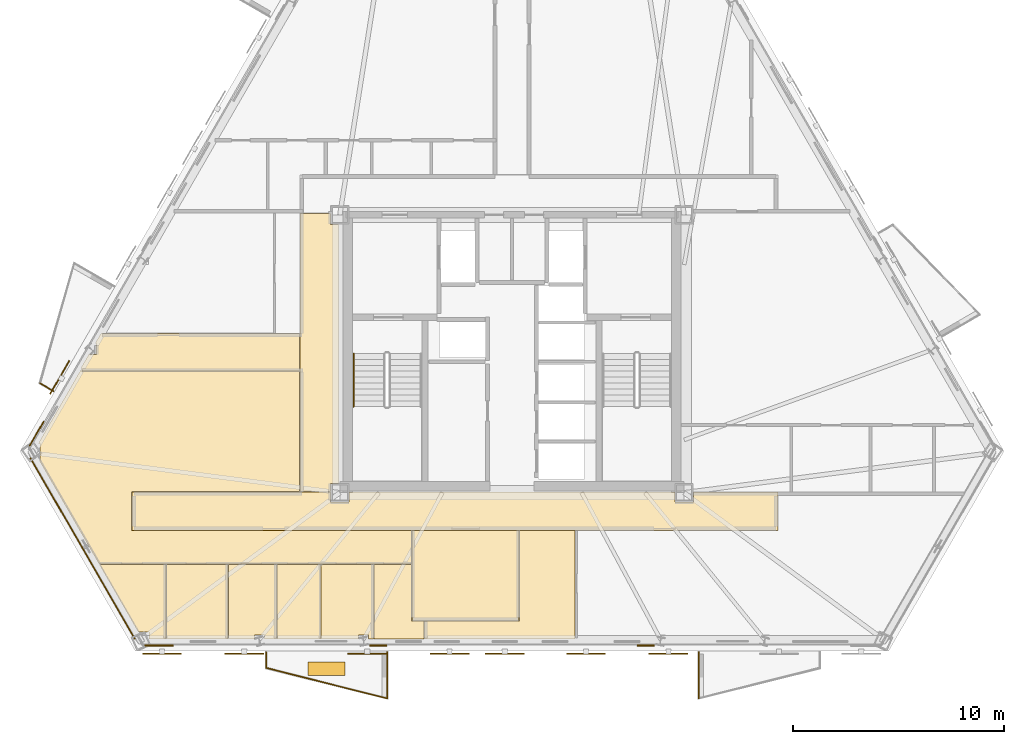
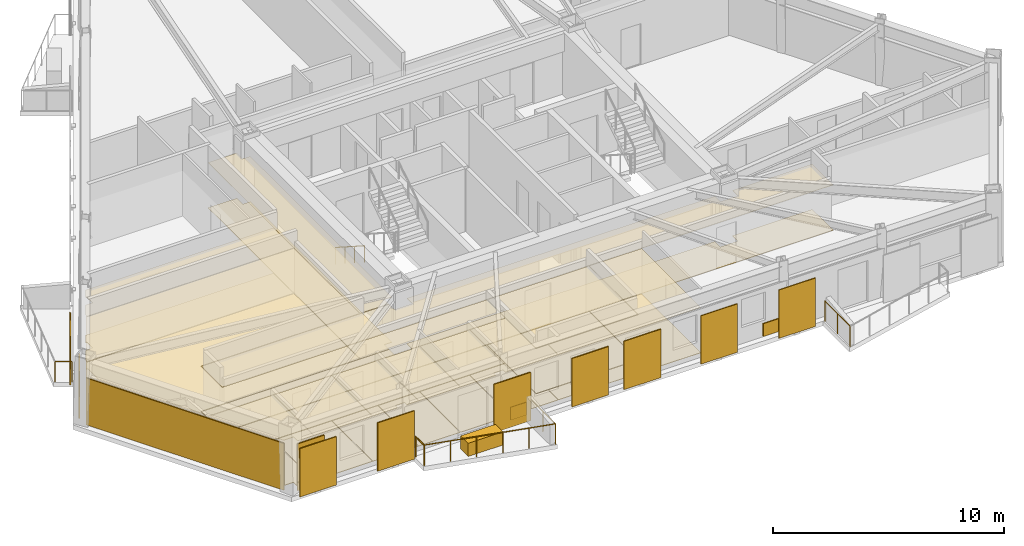
# One storey, part 7 of 9: 30 coverings, 8 shading devices, 6 railings.
"""IFC4 building model written with IfcOpenShell, lengths in metres."""

import ifcopenshell
import ifcopenshell.guid

model = None  # the IFC model being written
_history = None  # IfcOwnerHistory: only IFC2X3 demands one
_inside = {}  # id of a spatial element -> (the spatial element, [elements in it])
_under = {}  # id of a project, library or spatial element -> (it, [spatial elements below it])
_declared = {}  # id of a project -> (the project, [libraries it declares])
_typed = {}  # id of a type object -> (the type object, [elements of that type])
_made_of = {}  # id of a material, layer set ... -> (it, [elements and type objects made of it])


def new_model(schema):
    """Start an empty IFC model of exactly this schema.

    Asked for "IFC4X3", IfcOpenShell would pick the latest addendum, in which some entities
    have other attributes; the version numbers below select the first issue.
    IFC2X3 requires an IfcOwnerHistory on every rooted entity: one is made here for all.
    """
    global model, _history
    if schema == "IFC4X3":
        model = ifcopenshell.file(schema_version=(4, 3, 0, 0))
    else:
        model = ifcopenshell.file(schema=schema)
    _inside.clear()
    _under.clear()
    _declared.clear()
    _typed.clear()
    _made_of.clear()
    _history = None
    if model.schema == "IFC2X3":
        org = make("IfcOrganization", Name="unknown")
        user = make(
            "IfcPersonAndOrganization",
            ThePerson=make("IfcPerson", FamilyName="unknown"),
            TheOrganization=org,
        )
        app = make(
            "IfcApplication",
            ApplicationDeveloper=org,
            Version="unknown",
            ApplicationFullName="unknown",
            ApplicationIdentifier="unknown",
        )
        _history = make(
            "IfcOwnerHistory",
            OwningUser=user,
            OwningApplication=app,
            ChangeAction="ADDED",
            CreationDate=0,
        )
    return model


def make(cls, **values):
    """One entity of the class cls with the attributes given. An attribute that is None is left unset."""
    return model.create_entity(
        cls, **{name: value for name, value in values.items() if value is not None}
    )


def rooted(cls, **values):
    """An entity with a GlobalId (a new one), such as an element, a storey or a relation."""
    return make(cls, GlobalId=ifcopenshell.guid.new(), OwnerHistory=_history, **values)


def si_unit(unit_type, name, prefix=None):
    """IfcSIUnit, for example si_unit("LENGTHUNIT", "METRE", prefix="MILLI")."""
    return make("IfcSIUnit", UnitType=unit_type, Prefix=prefix, Name=name)


def assignment(units):
    """IfcUnitAssignment: the units of a project."""
    return None if units is None else make("IfcUnitAssignment", Units=units)


def point(xyz):
    """IfcCartesianPoint."""
    return None if xyz is None else make("IfcCartesianPoint", Coordinates=xyz)


def direction(xyz):
    """IfcDirection."""
    return None if xyz is None else make("IfcDirection", DirectionRatios=xyz)


def frame(location, z_axis=None, x_axis=None):
    """IfcAxis2Placement3D, a coordinate frame: its origin and axes. An axis left out is left unset."""
    return make(
        "IfcAxis2Placement3D",
        Location=point(location),
        Axis=direction(z_axis),
        RefDirection=direction(x_axis),
    )


def frame_2d(location, x_axis=None):
    """IfcAxis2Placement2D, a coordinate frame in the plane: its origin and x axis."""
    return make(
        "IfcAxis2Placement2D", Location=point(location), RefDirection=direction(x_axis)
    )


def origin():
    """The frame at (0, 0, 0) with its axes left unset."""
    return frame((0.0, 0.0, 0.0))


def origin_2d():
    """The frame at (0, 0) in the plane with its x axis left unset."""
    return frame_2d((0.0, 0.0))


def place(relative_to, where):
    """IfcLocalPlacement: puts the frame where relative to a parent placement (None: the world)."""
    return make(
        "IfcLocalPlacement", PlacementRelTo=relative_to, RelativePlacement=where
    )


def context(
    kind, dimensions, precision=None, world=None, true_north=None, identifier=None
):
    """IfcGeometricRepresentationContext, for example the 3D "Model" context."""
    return make(
        "IfcGeometricRepresentationContext",
        ContextIdentifier=identifier,
        ContextType=kind,
        CoordinateSpaceDimension=dimensions,
        Precision=precision,
        WorldCoordinateSystem=world,
        TrueNorth=true_north,
    )


def subcontext(parent, identifier, kind, view, scale=None):
    """IfcGeometricRepresentationSubContext, for example "Body" below "Model"."""
    return make(
        "IfcGeometricRepresentationSubContext",
        ContextIdentifier=identifier,
        ContextType=kind,
        ParentContext=parent,
        TargetScale=scale,
        TargetView=view,
    )


def project(units=None, contexts=None):
    """IfcProject with its units and contexts."""
    return rooted(
        "IfcProject",
        Name="project",
        RepresentationContexts=contexts,
        UnitsInContext=assignment(units),
    )


def spatial(cls, under=None, at=None, **own):
    """A site, building, storey or space (cls), placed at a placement, below another one or the project."""
    s = rooted(cls, ObjectPlacement=at, **own)
    if under is not None:
        _under.setdefault(under.id(), (under, []))[1].append(s)
    return s


def polyline(points):
    """IfcPolyline through the points."""
    return make("IfcPolyline", Points=[point(p) for p in points])


def profile(cls, at=None, kind="AREA", **sizes):
    """A parametric profile (cls). Its sizes go by their IFC names, for example OverallWidth=200.0."""
    return make(cls, ProfileType=kind, Position=at, **sizes)


def rectangle(**sizes):
    """IfcRectangleProfileDef."""
    return profile("IfcRectangleProfileDef", **sizes)


def circle(**sizes):
    """IfcCircleProfileDef."""
    return profile("IfcCircleProfileDef", **sizes)


def outline(outer, holes=None, kind="AREA"):
    """IfcArbitraryClosedProfileDef: a profile drawn as a closed curve; with holes, ...WithVoids."""
    if holes is None:
        return make("IfcArbitraryClosedProfileDef", ProfileType=kind, OuterCurve=outer)
    return make(
        "IfcArbitraryProfileDefWithVoids",
        ProfileType=kind,
        OuterCurve=outer,
        InnerCurves=holes,
    )


def extrude(swept, where, along, depth):
    """IfcExtrudedAreaSolid: the profile swept, set in the frame where, extruded along a direction by depth."""
    return make(
        "IfcExtrudedAreaSolid",
        SweptArea=swept,
        Position=where,
        ExtrudedDirection=direction(along),
        Depth=depth,
    )


def shape(context_of_items, identifier, shape_type, items):
    """IfcShapeRepresentation: the items that make up one representation, for example the "Body"."""
    return make(
        "IfcShapeRepresentation",
        ContextOfItems=context_of_items,
        RepresentationIdentifier=identifier,
        RepresentationType=shape_type,
        Items=items,
    )


def material(Name=None, Category=None):
    """IfcMaterial."""
    return make("IfcMaterial", Name=Name, Category=Category)


def layer(
    of_material, thickness, ventilated=None, Name=None, Category=None, Priority=None
):
    """IfcMaterialLayer: one layer of a wall or slab, of a material (None: an air gap)."""
    return make(
        "IfcMaterialLayer",
        Material=of_material,
        LayerThickness=thickness,
        IsVentilated=ventilated,
        Name=Name,
        Category=Category,
        Priority=Priority,
    )


def layer_set(layers, Name=None):
    """IfcMaterialLayerSet."""
    return make("IfcMaterialLayerSet", MaterialLayers=layers, LayerSetName=Name)


def made_of(thing, what):
    """Note that an element or type object is made of a material, layer set ...; save() writes the relation."""
    if what is not None:
        _made_of.setdefault(what.id(), (what, []))[1].append(thing)
    return thing


def type_object(cls, material=None, **own):
    """A type object (cls), such as IfcWallType, which elements share."""
    return made_of(rooted(cls, **own), material)


def element(
    cls,
    number,
    at=None,
    inside=None,
    cuts=None,
    type_object=None,
    material=None,
    context=None,
    identifier="Body",
    shape_type=None,
    held_by="IfcProductDefinitionShape",
    body=None,
    shapes=None,
    **own,
):
    """One element of the class cls, such as IfcWall. Its Tag is "e" and its number.

    at: its placement. inside: the storey or other place that contains it. cuts: it is an
    opening in that element (IfcRelVoidsElement). A single representation is given by context,
    identifier, shape_type and body (its items); several are given by shapes. held_by: the class
    of the entity that holds the representations. save() writes the other relations.
    """
    e = rooted(cls, Tag="e%d" % number, ObjectPlacement=at, **own)
    if body is not None:
        shapes = [shape(context, identifier, shape_type, body)]
    if shapes is not None:
        e.Representation = make(held_by, Representations=shapes)
    if inside is not None:
        _inside.setdefault(inside.id(), (inside, []))[1].append(e)
    if cuts is not None:
        rooted(
            "IfcRelVoidsElement", RelatingBuildingElement=cuts, RelatedOpeningElement=e
        )
    if type_object is not None:
        _typed.setdefault(type_object.id(), (type_object, []))[1].append(e)
    return made_of(e, material)


def aggregate(whole, parts):
    """IfcRelAggregates: a whole, such as a stair, and the parts it consists of."""
    return rooted("IfcRelAggregates", RelatingObject=whole, RelatedObjects=parts)


def save(model, path):
    """Write the relations noted so far, then the file.

    IfcRelAggregates (storeys below a building ...), IfcRelContainedInSpatialStructure (elements
    in a storey), IfcRelDefinesByType, IfcRelAssociatesMaterial and IfcRelDeclares: one each for
    every whole, place, type object, material and project.
    """
    for whole, parts in _under.values():
        aggregate(whole, parts)
    for where, things in _inside.values():
        rooted(
            "IfcRelContainedInSpatialStructure",
            RelatedElements=things,
            RelatingStructure=where,
        )
    for kind, things in _typed.values():
        rooted("IfcRelDefinesByType", RelatedObjects=things, RelatingType=kind)
    for what, things in _made_of.values():
        rooted("IfcRelAssociatesMaterial", RelatedObjects=things, RelatingMaterial=what)
    for by, libraries in _declared.values():
        rooted("IfcRelDeclares", RelatingContext=by, RelatedDefinitions=libraries)
    model.write(path)


model = new_model("IFC4")

# Units and contexts
model_context = context("Model", 3, precision=1e-05, world=origin(), true_north=direction((0.0, 1.0)))
body_context = subcontext(model_context, "Body", "Model", "MODEL_VIEW")
ifc_project = project(units=[si_unit("LENGTHUNIT", "METRE"), si_unit("AREAUNIT", "SQUARE_METRE"), si_unit("VOLUMEUNIT", "CUBIC_METRE"), si_unit("PLANEANGLEUNIT", "RADIAN"), si_unit("MASSUNIT", "GRAM", prefix="KILO")], contexts=[model_context])

# Site, building, storey
site_placement = place(None, origin())
site = spatial("IfcSite", under=ifc_project, at=site_placement, CompositionType="ELEMENT")
building_placement = place(site_placement, origin())
building = spatial("IfcBuilding", under=site, at=building_placement, Name="Oramaril Tower", CompositionType="ELEMENT")
storey_placement = place(building_placement, frame((0.0, 0.0, 130.199951171875)))
storey = spatial("IfcBuildingStorey", under=building, at=storey_placement, Name="L34", CompositionType="ELEMENT", Elevation=130.199951171875)

# Coverings
ifc_material_1 = material(Name="Mineral Fibre Acoustic Ceiling")
ifc_layer_1 = layer(ifc_material_1, 0.02001953125)
ifc_layer_set_1 = layer_set([ifc_layer_1], Name="CVT-CEIL")
covering_type_1 = type_object("IfcCoveringType", Name="CVT-CEIL", PredefinedType="CEILING", material=ifc_layer_set_1)
covering_1_placement = place(storey_placement, frame((0.0, 0.0, 2.400146484375)))
element("IfcCovering", 1, at=covering_1_placement, inside=storey, type_object=covering_type_1, Name="L34 Acoustic Suspended Ceiling 1", PredefinedType="CEILING", context=body_context, shape_type="SweptSolid", body=[
    extrude(outline(polyline([(28.905029296875, 10.554931640625), (29.794921875, 10.554931640625), (29.794921875, 11.030029296875), (45.205078125, 11.030029296875), (45.205078125, 10.554931640625), (46.094970703125, 10.554931640625), (46.094970703125, 11.030029296875), (50.080078125, 11.030029296875), (50.080078125, 9.219970703125), (19.52001953125, 9.219970703125), (19.52001953125, 11.030029296875), (28.905029296875, 11.030029296875), (28.905029296875, 10.554931640625)])), origin(), (0.0, 0.0, 1.0), 0.02001953125),
])
covering_2_placement = place(storey_placement, frame((0.0, 0.0, 2.400146484375)))
element("IfcCovering", 2, at=covering_2_placement, inside=storey, type_object=covering_type_1, Name="L34 Acoustic Suspended Ceiling 3", PredefinedType="CEILING", context=body_context, shape_type="SweptSolid", body=[
    extrude(outline(polyline([(28.905029296875, 23.705078125), (29.280029296875, 23.705078125), (29.280029296875, 11.445068359375), (28.905029296875, 11.445068359375), (28.905029296875, 11.050048828125), (27.469970703125, 11.050048828125), (27.469970703125, 24.219970703125), (28.905029296875, 24.219970703125), (28.905029296875, 23.705078125)])), origin(), (0.0, 0.0, 1.0), 0.02001953125),
])
covering_3_placement = place(storey_placement, frame((0.0, 0.0, 2.400146484375)))
element("IfcCovering", 3, at=covering_3_placement, inside=storey, type_object=covering_type_1, Name="L34 Acoustic Suspended Ceiling 5", PredefinedType="CEILING", context=body_context, shape_type="SweptSolid", body=[
    extrude(outline(polyline([(17.1201171875, 16.77001953125), (17.1201171875, 16.94091796875), (17.46826171875, 17.5439453125), (17.83251953125, 17.5439453125), (17.83251953125, 18.051513671875), (17.76123046875, 18.051513671875), (18.037353515625, 18.530029296875), (27.449951171875, 18.530029296875), (27.449951171875, 16.77001953125), (17.1201171875, 16.77001953125)])), origin(), (0.0, 0.0, 1.0), 0.02001953125),
])
covering_4_placement = place(storey_placement, frame((0.0, 0.0, 2.400146484375)))
element("IfcCovering", 4, at=covering_4_placement, inside=storey, type_object=covering_type_1, Name="L34 Acoustic Suspended Ceiling 6", PredefinedType="CEILING", context=body_context, shape_type="SweptSolid", body=[
    extrude(outline(polyline([(32.758056640625, 4.9580078125), (32.758056640625, 9.199951171875), (37.842041015625, 9.199951171875), (37.842041015625, 4.9580078125), (32.758056640625, 4.9580078125)])), origin(), (0.0, 0.0, 1.0), 0.02001953125),
])
covering_5_placement = place(storey_placement, frame((0.0, 0.0, 2.400146484375)))
element("IfcCovering", 5, at=covering_5_placement, inside=storey, type_object=covering_type_1, Name="L34 Acoustic Suspended Ceiling 8", PredefinedType="CEILING", context=body_context, shape_type="SweptSolid", body=[
    extrude(outline(polyline([(33.35791015625, 4.06787109375), (33.35791015625, 4.93798828125), (37.842041015625, 4.93798828125), (37.843994140625, 4.93798828125), (37.845947265625, 4.9384765625), (37.847900390625, 4.93896484375), (37.849609375, 4.939453125), (37.851318359375, 4.9404296875), (37.85302734375, 4.94140625), (37.854736328125, 4.9423828125), (37.856201171875, 4.94384765625), (37.857421875, 4.9453125), (37.858642578125, 4.947021484375), (37.859619140625, 4.948486328125), (37.860595703125, 4.9501953125), (37.861083984375, 4.9521484375), (37.861572265625, 4.9541015625), (37.86181640625, 4.9560546875), (37.862060546875, 4.9580078125), (37.862060546875, 9.199951171875), (40.484619140625, 9.199951171875), (40.484619140625, 4.06787109375), (33.35791015625, 4.06787109375)])), origin(), (0.0, 0.0, 1.0), 0.02001953125),
])
covering_6_placement = place(storey_placement, frame((0.0, 0.0, 2.400146484375)))
element("IfcCovering", 6, at=covering_6_placement, inside=storey, type_object=covering_type_1, Name="L34 Acoustic Suspended Ceiling 9", PredefinedType="CEILING", context=body_context, shape_type="SweptSolid", body=[
    extrude(outline(polyline([(17.9501953125, 7.62109375), (15.12158203125, 12.5205078125), (15.163818359375, 12.5205078125), (15.163818359375, 13.331787109375), (15.080078125, 13.331787109375), (17.10009765625, 16.830078125), (17.10009765625, 16.77001953125), (17.10009765625, 16.76806640625), (17.100341796875, 16.76611328125), (17.100830078125, 16.76416015625), (17.1015625, 16.76220703125), (17.102294921875, 16.760498046875), (17.103515625, 16.7587890625), (17.1044921875, 16.75732421875), (17.10595703125, 16.755859375), (17.107421875, 16.75439453125), (17.10888671875, 16.75341796875), (17.110595703125, 16.75244140625), (17.1123046875, 16.75146484375), (17.1142578125, 16.7509765625), (17.1162109375, 16.75048828125), (17.117919921875, 16.75), (17.1201171875, 16.75), (27.449951171875, 16.75), (27.449951171875, 11.050048828125), (19.52001953125, 11.050048828125), (19.51806640625, 11.0498046875), (19.51611328125, 11.049560546875), (19.51416015625, 11.049072265625), (19.51220703125, 11.048583984375), (19.510498046875, 11.047607421875), (19.5087890625, 11.046630859375), (19.50732421875, 11.04541015625), (19.505859375, 11.044189453125), (19.50439453125, 11.042724609375), (19.50341796875, 11.041015625), (19.50244140625, 11.039306640625), (19.50146484375, 11.03759765625), (19.5009765625, 11.035888671875), (19.50048828125, 11.033935546875), (19.5, 11.031982421875), (19.5, 11.030029296875), (19.5, 9.219970703125), (19.5, 9.218017578125), (19.50048828125, 9.216064453125), (19.5009765625, 9.214111328125), (19.50146484375, 9.21240234375), (19.50244140625, 9.210693359375), (19.50341796875, 9.208984375), (19.50439453125, 9.207275390625), (19.505859375, 9.205810546875), (19.50732421875, 9.20458984375), (19.5087890625, 9.203369140625), (19.510498046875, 9.202392578125), (19.51220703125, 9.201416015625), (19.51416015625, 9.200927734375), (19.51611328125, 9.200439453125), (19.51806640625, 9.2001953125), (19.52001953125, 9.199951171875), (32.738037109375, 9.199951171875), (32.738037109375, 7.62109375), (17.9501953125, 7.62109375)])), origin(), (0.0, 0.0, 1.0), 0.02001953125),
])
covering_7_placement = place(storey_placement, frame((0.0, 0.0, 2.400146484375)))
element("IfcCovering", 7, at=covering_7_placement, inside=storey, type_object=covering_type_1, Name="L34 Acoustic Suspended Ceiling 10", PredefinedType="CEILING", context=body_context, shape_type="SweptSolid", body=[
    extrude(outline(polyline([(20.30908203125, 4.06787109375), (20.30908203125, 4.41064453125), (19.8037109375, 4.41064453125), (17.961669921875, 7.60107421875), (21.124755859375, 7.60107421875), (21.124755859375, 4.06787109375), (20.30908203125, 4.06787109375)])), origin(), (0.0, 0.0, 1.0), 0.02001953125),
])
covering_8_placement = place(storey_placement, frame((0.0, 0.0, 2.400146484375)))
element("IfcCovering", 8, at=covering_8_placement, inside=storey, type_object=covering_type_1, Name="L34 Acoustic Suspended Ceiling 11", PredefinedType="CEILING", context=body_context, shape_type="SweptSolid", body=[
    extrude(outline(polyline([(21.144775390625, 4.06787109375), (21.144775390625, 7.60107421875), (24.0537109375, 7.60107421875), (24.0537109375, 4.06787109375), (21.144775390625, 4.06787109375)])), origin(), (0.0, 0.0, 1.0), 0.02001953125),
])
covering_9_placement = place(storey_placement, frame((0.0, 0.0, 2.400146484375)))
element("IfcCovering", 9, at=covering_9_placement, inside=storey, type_object=covering_type_1, Name="L34 Acoustic Suspended Ceiling 12", PredefinedType="CEILING", context=body_context, shape_type="SweptSolid", body=[
    extrude(outline(polyline([(25.78173828125, 4.06787109375), (25.78173828125, 4.263671875), (25.311279296875, 4.263671875), (25.311279296875, 4.06787109375), (24.07373046875, 4.06787109375), (24.07373046875, 7.60107421875), (26.355224609375, 7.60107421875), (26.355224609375, 4.06787109375), (25.78173828125, 4.06787109375)])), origin(), (0.0, 0.0, 1.0), 0.02001953125),
])
covering_10_placement = place(storey_placement, frame((0.0, 0.0, 2.400146484375)))
element("IfcCovering", 10, at=covering_10_placement, inside=storey, type_object=covering_type_1, Name="L34 Acoustic Suspended Ceiling 13", PredefinedType="CEILING", context=body_context, shape_type="SweptSolid", body=[
    extrude(outline(polyline([(26.375244140625, 4.06787109375), (26.375244140625, 7.60107421875), (28.447509765625, 7.60107421875), (28.447509765625, 4.06787109375), (26.375244140625, 4.06787109375)])), origin(), (0.0, 0.0, 1.0), 0.02001953125),
])
covering_11_placement = place(storey_placement, frame((0.0, 0.0, 2.400146484375)))
element("IfcCovering", 11, at=covering_11_placement, inside=storey, type_object=covering_type_1, Name="L34 Acoustic Suspended Ceiling 14", PredefinedType="CEILING", context=body_context, shape_type="SweptSolid", body=[
    extrude(outline(polyline([(30.69873046875, 4.06787109375), (30.69873046875, 4.263671875), (30.23828125, 4.263671875), (30.23828125, 4.06787109375), (28.46728515625, 4.06787109375), (28.46728515625, 7.60107421875), (30.951904296875, 7.60107421875), (30.951904296875, 4.06787109375), (30.69873046875, 4.06787109375)])), origin(), (0.0, 0.0, 1.0), 0.02001953125),
])
covering_12_placement = place(storey_placement, frame((0.0, 0.0, 2.400146484375)))
element("IfcCovering", 12, at=covering_12_placement, inside=storey, type_object=covering_type_1, Name="L34 Acoustic Suspended Ceiling 15", PredefinedType="CEILING", context=body_context, shape_type="SweptSolid", body=[
    extrude(outline(polyline([(30.971923828125, 4.06787109375), (30.971923828125, 7.60107421875), (32.738037109375, 7.60107421875), (32.738037109375, 4.9580078125), (32.738037109375, 4.9560546875), (32.73828125, 4.9541015625), (32.739013671875, 4.9521484375), (32.739501953125, 4.9501953125), (32.740478515625, 4.948486328125), (32.741455078125, 4.947021484375), (32.742431640625, 4.9453125), (32.743896484375, 4.94384765625), (32.745361328125, 4.9423828125), (32.746826171875, 4.94140625), (32.74853515625, 4.9404296875), (32.750244140625, 4.939453125), (32.752197265625, 4.93896484375), (32.754150390625, 4.9384765625), (32.756103515625, 4.93798828125), (32.758056640625, 4.93798828125), (33.337890625, 4.93798828125), (33.337890625, 4.06787109375), (30.971923828125, 4.06787109375)])), origin(), (0.0, 0.0, 1.0), 0.02001953125),
])
ifc_material_2 = material(Name="Warm Cream Limestone", Category="masonry")
ifc_layer_2 = layer(ifc_material_2, 0.050048828125)
ifc_layer_set_2 = layer_set([ifc_layer_2], Name="CVT-CLD")
covering_type_2 = type_object("IfcCoveringType", Name="CVT-CLD", PredefinedType="CLADDING", material=ifc_layer_set_2)
covering_13_placement = place(storey_placement, frame((17.17333984375, 8.364501953125, 0.0400390625), z_axis=(0.0, 0.0, 1.0), x_axis=(0.5, -0.866025403784, 0.0)))
element("IfcCovering", 13, at=covering_13_placement, inside=storey, type_object=covering_type_2, Name="L34 Warm Cream Limestone Cladding", PredefinedType="CLADDING", context=body_context, shape_type="SweptSolid", body=[
    extrude(rectangle(XDim=9.89453125, YDim=0.050048828125, at=origin_2d()), origin(), (0.0, 0.0, 1.0), 2.47802734375),
])
covering_14_placement = place(storey_placement, frame((20.789306640625, 3.766845703125, 0.0400390625), z_axis=(0.0, 0.0, 1.0), x_axis=(1.0, 0.0, 0.0)))
element("IfcCovering", 14, at=covering_14_placement, inside=storey, type_object=covering_type_2, Name="L34 Warm Cream Limestone Cladding", PredefinedType="CLADDING", context=body_context, shape_type="SweptSolid", body=[
    extrude(rectangle(XDim=1.35009765625, YDim=0.050048828125, at=origin_2d()), origin(), (0.0, 0.0, 1.0), 2.47802734375),
])
for number, where, z_axis, x_axis, name in (
    (15, (31.177978515625, 3.766845703125, 0.0400390625), (0.0, 0.0, 1.0), (1.0, 0.0, 0.0), "L34 Warm Cream Limestone Spandrel Cladding"),
    (16, (43.822021484375, 3.766845703125, 0.0400390625), (0.0, 0.0, 1.0), (1.0, 0.0, 0.0), "L34 Warm Cream Limestone Spandrel Cladding"),
):
    element("IfcCovering", number, at=place(storey_placement, frame(where, z_axis=z_axis, x_axis=x_axis)), inside=storey, type_object=covering_type_2, Name=name, PredefinedType="CLADDING", context=body_context, shape_type="SweptSolid", body=[
        extrude(rectangle(XDim=0.800048828125, YDim=0.050048828125, at=origin_2d()), origin(), (0.0, 0.0, 1.0), 0.679931640625),
    ])
covering_15_placement = place(storey_placement, frame((14.999755859375, 13.79443359375, 0.0400390625), z_axis=(0.0, 0.0, 1.0), x_axis=(-0.4999984885, -0.866026276448, 0.0)))
element("IfcCovering", 17, at=covering_15_placement, inside=storey, type_object=covering_type_2, Name="L34 Warm Cream Limestone Cladding", PredefinedType="CLADDING", context=body_context, shape_type="SweptSolid", body=[
    extrude(rectangle(XDim=1.35009765625, YDim=0.050048828125, at=origin_2d()), origin(), (0.0, 0.0, 1.0), 2.47802734375),
])
covering_16_placement = place(storey_placement, frame((28.7236328125, 2.663330078125, 0.0), z_axis=(0.0, 0.0, 1.0), x_axis=(1.0, 0.0, 0.0)))
element("IfcCovering", 18, at=covering_16_placement, inside=storey, type_object=covering_type_2, Name="L34 Structural Tree Planter Box L34-BAL-S1", PredefinedType="CLADDING", context=body_context, shape_type="SweptSolid", body=[
    extrude(rectangle(XDim=1.75, YDim=0.64990234375, at=origin_2d()), origin(), (0.0, 0.0, 1.0), 0.699951171875),
])
ifc_material_3 = material(Name="Honed Quartzite Stone Flooring", Category="masonry")
ifc_layer_3 = layer(ifc_material_3, 0.02490234375)
ifc_layer_set_3 = layer_set([ifc_layer_3], Name="CVT-FLR")
covering_type_3 = type_object("IfcCoveringType", Name="CVT-FLR", PredefinedType="FLOORING", material=ifc_layer_set_3)
covering_17_placement = place(storey_placement, origin())
element("IfcCovering", 19, at=covering_17_placement, inside=storey, type_object=covering_type_3, Name="L34 Honed Stone Floor Finish 1", PredefinedType="FLOORING", context=body_context, shape_type="SweptSolid", body=[
    extrude(outline(polyline([(28.905029296875, 10.554931640625), (29.794921875, 10.554931640625), (29.794921875, 11.030029296875), (45.205078125, 11.030029296875), (45.205078125, 10.554931640625), (46.094970703125, 10.554931640625), (46.094970703125, 11.030029296875), (50.080078125, 11.030029296875), (50.080078125, 9.219970703125), (19.52001953125, 9.219970703125), (19.52001953125, 11.030029296875), (28.905029296875, 11.030029296875), (28.905029296875, 10.554931640625)])), origin(), (0.0, 0.0, 1.0), 0.025146484375),
])
covering_18_placement = place(storey_placement, origin())
element("IfcCovering", 20, at=covering_18_placement, inside=storey, type_object=covering_type_3, Name="L34 Honed Stone Floor Finish 3", PredefinedType="FLOORING", context=body_context, shape_type="SweptSolid", body=[
    extrude(outline(polyline([(28.905029296875, 23.705078125), (29.280029296875, 23.705078125), (29.280029296875, 11.445068359375), (28.905029296875, 11.445068359375), (28.905029296875, 11.050048828125), (27.469970703125, 11.050048828125), (27.469970703125, 24.219970703125), (28.905029296875, 24.219970703125), (28.905029296875, 23.705078125)])), origin(), (0.0, 0.0, 1.0), 0.025146484375),
])
covering_19_placement = place(storey_placement, origin())
element("IfcCovering", 21, at=covering_19_placement, inside=storey, type_object=covering_type_3, Name="L34 Honed Stone Floor Finish 5", PredefinedType="FLOORING", context=body_context, shape_type="SweptSolid", body=[
    extrude(outline(polyline([(17.1201171875, 16.77001953125), (17.1201171875, 16.94091796875), (17.46826171875, 17.5439453125), (17.83251953125, 17.5439453125), (17.83251953125, 18.051513671875), (17.76123046875, 18.051513671875), (18.037353515625, 18.530029296875), (27.449951171875, 18.530029296875), (27.449951171875, 16.77001953125), (17.1201171875, 16.77001953125)])), origin(), (0.0, 0.0, 1.0), 0.025146484375),
])
covering_20_placement = place(storey_placement, origin())
element("IfcCovering", 22, at=covering_20_placement, inside=storey, type_object=covering_type_3, Name="L34 Honed Stone Floor Finish 6", PredefinedType="FLOORING", context=body_context, shape_type="SweptSolid", body=[
    extrude(outline(polyline([(32.758056640625, 4.9580078125), (32.758056640625, 9.199951171875), (37.842041015625, 9.199951171875), (37.842041015625, 4.9580078125), (32.758056640625, 4.9580078125)])), origin(), (0.0, 0.0, 1.0), 0.025146484375),
])
covering_21_placement = place(storey_placement, origin())
element("IfcCovering", 23, at=covering_21_placement, inside=storey, type_object=covering_type_3, Name="L34 Honed Stone Floor Finish 8", PredefinedType="FLOORING", context=body_context, shape_type="SweptSolid", body=[
    extrude(outline(polyline([(33.35791015625, 4.06787109375), (33.35791015625, 4.93798828125), (37.842041015625, 4.93798828125), (37.843994140625, 4.93798828125), (37.845947265625, 4.9384765625), (37.847900390625, 4.93896484375), (37.849609375, 4.939453125), (37.851318359375, 4.9404296875), (37.85302734375, 4.94140625), (37.854736328125, 4.9423828125), (37.856201171875, 4.94384765625), (37.857421875, 4.9453125), (37.858642578125, 4.947021484375), (37.859619140625, 4.948486328125), (37.860595703125, 4.9501953125), (37.861083984375, 4.9521484375), (37.861572265625, 4.9541015625), (37.86181640625, 4.9560546875), (37.862060546875, 4.9580078125), (37.862060546875, 9.199951171875), (40.484619140625, 9.199951171875), (40.484619140625, 4.06787109375), (33.35791015625, 4.06787109375)])), origin(), (0.0, 0.0, 1.0), 0.025146484375),
])
covering_22_placement = place(storey_placement, origin())
element("IfcCovering", 24, at=covering_22_placement, inside=storey, type_object=covering_type_3, Name="L34 Honed Stone Floor Finish 9", PredefinedType="FLOORING", context=body_context, shape_type="SweptSolid", body=[
    extrude(outline(polyline([(17.9501953125, 7.62109375), (15.12158203125, 12.5205078125), (15.163818359375, 12.5205078125), (15.163818359375, 13.331787109375), (15.080078125, 13.331787109375), (17.10009765625, 16.830078125), (17.10009765625, 16.77001953125), (17.10009765625, 16.76806640625), (17.100341796875, 16.76611328125), (17.100830078125, 16.76416015625), (17.1015625, 16.76220703125), (17.102294921875, 16.760498046875), (17.103515625, 16.7587890625), (17.1044921875, 16.75732421875), (17.10595703125, 16.755859375), (17.107421875, 16.75439453125), (17.10888671875, 16.75341796875), (17.110595703125, 16.75244140625), (17.1123046875, 16.75146484375), (17.1142578125, 16.7509765625), (17.1162109375, 16.75048828125), (17.117919921875, 16.75), (17.1201171875, 16.75), (27.449951171875, 16.75), (27.449951171875, 11.050048828125), (19.52001953125, 11.050048828125), (19.51806640625, 11.0498046875), (19.51611328125, 11.049560546875), (19.51416015625, 11.049072265625), (19.51220703125, 11.048583984375), (19.510498046875, 11.047607421875), (19.5087890625, 11.046630859375), (19.50732421875, 11.04541015625), (19.505859375, 11.044189453125), (19.50439453125, 11.042724609375), (19.50341796875, 11.041015625), (19.50244140625, 11.039306640625), (19.50146484375, 11.03759765625), (19.5009765625, 11.035888671875), (19.50048828125, 11.033935546875), (19.5, 11.031982421875), (19.5, 11.030029296875), (19.5, 9.219970703125), (19.5, 9.218017578125), (19.50048828125, 9.216064453125), (19.5009765625, 9.214111328125), (19.50146484375, 9.21240234375), (19.50244140625, 9.210693359375), (19.50341796875, 9.208984375), (19.50439453125, 9.207275390625), (19.505859375, 9.205810546875), (19.50732421875, 9.20458984375), (19.5087890625, 9.203369140625), (19.510498046875, 9.202392578125), (19.51220703125, 9.201416015625), (19.51416015625, 9.200927734375), (19.51611328125, 9.200439453125), (19.51806640625, 9.2001953125), (19.52001953125, 9.199951171875), (32.738037109375, 9.199951171875), (32.738037109375, 7.62109375), (17.9501953125, 7.62109375)])), origin(), (0.0, 0.0, 1.0), 0.025146484375),
])
covering_23_placement = place(storey_placement, origin())
element("IfcCovering", 25, at=covering_23_placement, inside=storey, type_object=covering_type_3, Name="L34 Honed Stone Floor Finish 10", PredefinedType="FLOORING", context=body_context, shape_type="SweptSolid", body=[
    extrude(outline(polyline([(20.30908203125, 4.06787109375), (20.30908203125, 4.41064453125), (19.8037109375, 4.41064453125), (17.961669921875, 7.60107421875), (21.124755859375, 7.60107421875), (21.124755859375, 4.06787109375), (20.30908203125, 4.06787109375)])), origin(), (0.0, 0.0, 1.0), 0.025146484375),
])
covering_24_placement = place(storey_placement, origin())
element("IfcCovering", 26, at=covering_24_placement, inside=storey, type_object=covering_type_3, Name="L34 Honed Stone Floor Finish 11", PredefinedType="FLOORING", context=body_context, shape_type="SweptSolid", body=[
    extrude(outline(polyline([(21.144775390625, 4.06787109375), (21.144775390625, 7.60107421875), (24.0537109375, 7.60107421875), (24.0537109375, 4.06787109375), (21.144775390625, 4.06787109375)])), origin(), (0.0, 0.0, 1.0), 0.025146484375),
])
covering_25_placement = place(storey_placement, origin())
element("IfcCovering", 27, at=covering_25_placement, inside=storey, type_object=covering_type_3, Name="L34 Honed Stone Floor Finish 12", PredefinedType="FLOORING", context=body_context, shape_type="SweptSolid", body=[
    extrude(outline(polyline([(25.78173828125, 4.06787109375), (25.78173828125, 4.263671875), (25.311279296875, 4.263671875), (25.311279296875, 4.06787109375), (24.07373046875, 4.06787109375), (24.07373046875, 7.60107421875), (26.355224609375, 7.60107421875), (26.355224609375, 4.06787109375), (25.78173828125, 4.06787109375)])), origin(), (0.0, 0.0, 1.0), 0.025146484375),
])
covering_26_placement = place(storey_placement, origin())
element("IfcCovering", 28, at=covering_26_placement, inside=storey, type_object=covering_type_3, Name="L34 Honed Stone Floor Finish 13", PredefinedType="FLOORING", context=body_context, shape_type="SweptSolid", body=[
    extrude(outline(polyline([(26.375244140625, 4.06787109375), (26.375244140625, 7.60107421875), (28.447509765625, 7.60107421875), (28.447509765625, 4.06787109375), (26.375244140625, 4.06787109375)])), origin(), (0.0, 0.0, 1.0), 0.025146484375),
])
covering_27_placement = place(storey_placement, origin())
element("IfcCovering", 29, at=covering_27_placement, inside=storey, type_object=covering_type_3, Name="L34 Honed Stone Floor Finish 14", PredefinedType="FLOORING", context=body_context, shape_type="SweptSolid", body=[
    extrude(outline(polyline([(30.69873046875, 4.06787109375), (30.69873046875, 4.263671875), (30.23828125, 4.263671875), (30.23828125, 4.06787109375), (28.46728515625, 4.06787109375), (28.46728515625, 7.60107421875), (30.951904296875, 7.60107421875), (30.951904296875, 4.06787109375), (30.69873046875, 4.06787109375)])), origin(), (0.0, 0.0, 1.0), 0.025146484375),
])
covering_28_placement = place(storey_placement, origin())
element("IfcCovering", 30, at=covering_28_placement, inside=storey, type_object=covering_type_3, Name="L34 Honed Stone Floor Finish 15", PredefinedType="FLOORING", context=body_context, shape_type="SweptSolid", body=[
    extrude(outline(polyline([(30.971923828125, 4.06787109375), (30.971923828125, 7.60107421875), (32.738037109375, 7.60107421875), (32.738037109375, 4.9580078125), (32.738037109375, 4.9560546875), (32.73828125, 4.9541015625), (32.739013671875, 4.9521484375), (32.739501953125, 4.9501953125), (32.740478515625, 4.948486328125), (32.741455078125, 4.947021484375), (32.742431640625, 4.9453125), (32.743896484375, 4.94384765625), (32.745361328125, 4.9423828125), (32.746826171875, 4.94140625), (32.74853515625, 4.9404296875), (32.750244140625, 4.939453125), (32.752197265625, 4.93896484375), (32.754150390625, 4.9384765625), (32.756103515625, 4.93798828125), (32.758056640625, 4.93798828125), (33.337890625, 4.93798828125), (33.337890625, 4.06787109375), (30.971923828125, 4.06787109375)])), origin(), (0.0, 0.0, 1.0), 0.025146484375),
])

# Railings
ifc_material_4 = material(Name="Stainless Steel 316L", Category="steel")
railing_type_1 = type_object("IfcRailingType", Name="RLT-GRD", PredefinedType="GUARDRAIL", material=ifc_material_4)
railing_1_placement = place(storey_placement, frame((31.588623046875, 3.451904296875, 0.0)))
element("IfcRailing", 31, at=railing_1_placement, inside=storey, type_object=railing_type_1, Name="L34 Balcony Guardrail L34-BAL-S1.1", PredefinedType="GUARDRAIL", context=body_context, shape_type="SweptSolid", body=[
    extrude(circle(Radius=0.02392578125, at=origin_2d()), frame((0.0, 0.0, 1.076171875), z_axis=(0.0, -1.0, 0.0), x_axis=(1.0, 0.0, 0.0)), (0.0, 0.0, 1.0), 2.19189453125),
    extrude(circle(Radius=0.02099609375, at=origin_2d()), origin(), (0.0, 0.0, 1.0), 1.052001953125),
    extrude(circle(Radius=0.02099609375, at=origin_2d()), frame((0.0, -1.095947265625, 0.0)), (0.0, 0.0, 1.0), 1.052001953125),
    extrude(circle(Radius=0.02099609375, at=origin_2d()), frame((0.0, -2.19189453125, 0.0)), (0.0, 0.0, 1.0), 1.052001953125),
])
railing_2_placement = place(storey_placement, frame((31.588623046875, 1.260009765625, 0.0)))
element("IfcRailing", 32, at=railing_2_placement, inside=storey, type_object=railing_type_1, Name="L34 Balcony Guardrail L34-BAL-S1.2", PredefinedType="GUARDRAIL", context=body_context, shape_type="SweptSolid", body=[
    extrude(circle(Radius=0.02392578125, at=origin_2d()), frame((0.0, 0.0, 1.076171875), z_axis=(-0.969443611257, 0.245314256807, 0.0), x_axis=(-0.245314256807, -0.969443611257, 0.0)), (0.0, 0.0, 1.0), 5.91064453125),
    extrude(circle(Radius=0.02099609375, at=origin_2d()), origin(), (0.0, 0.0, 1.0), 1.052001953125),
    extrude(circle(Radius=0.02099609375, at=origin_2d()), frame((-1.14599609375, 0.2900390625, 0.0)), (0.0, 0.0, 1.0), 1.052001953125),
    extrude(circle(Radius=0.02099609375, at=origin_2d()), frame((-2.2919921875, 0.580078125, 0.0)), (0.0, 0.0, 1.0), 1.052001953125),
    extrude(circle(Radius=0.02099609375, at=origin_2d()), frame((-3.43798828125, 0.869873046875, 0.0)), (0.0, 0.0, 1.0), 1.052001953125),
    extrude(circle(Radius=0.02099609375, at=origin_2d()), frame((-4.583984375, 1.159912109375, 0.0)), (0.0, 0.0, 1.0), 1.052001953125),
    extrude(circle(Radius=0.02099609375, at=origin_2d()), frame((-5.72998046875, 1.449951171875, 0.0)), (0.0, 0.0, 1.0), 1.052001953125),
])
railing_3_placement = place(storey_placement, frame((25.858642578125, 2.7099609375, 0.0)))
element("IfcRailing", 33, at=railing_3_placement, inside=storey, type_object=railing_type_1, Name="L34 Balcony Guardrail L34-BAL-S1.3", PredefinedType="GUARDRAIL", context=body_context, shape_type="SweptSolid", body=[
    extrude(circle(Radius=0.02392578125, at=origin_2d()), frame((0.0, 0.0, 1.076171875), z_axis=(0.0, 1.0, 0.0), x_axis=(-1.0, 0.0, 0.0)), (0.0, 0.0, 1.0), 0.741943359375),
    extrude(circle(Radius=0.02099609375, at=origin_2d()), origin(), (0.0, 0.0, 1.0), 1.052001953125),
    extrude(circle(Radius=0.02099609375, at=origin_2d()), frame((0.0, 0.741943359375, 0.0)), (0.0, 0.0, 1.0), 1.052001953125),
])
railing_4_placement = place(storey_placement, frame((46.33642578125, 1.260009765625, 0.0)))
element("IfcRailing", 34, at=railing_4_placement, inside=storey, type_object=railing_type_1, Name="L34 Balcony Guardrail L34-BAL-S2.3", PredefinedType="GUARDRAIL", context=body_context, shape_type="SweptSolid", body=[
    extrude(circle(Radius=0.02392578125, at=origin_2d()), frame((0.0, 0.0, 1.076171875), z_axis=(0.0, 1.0, 0.0), x_axis=(-1.0, 0.0, 0.0)), (0.0, 0.0, 1.0), 2.19189453125),
    extrude(circle(Radius=0.02099609375, at=origin_2d()), origin(), (0.0, 0.0, 1.0), 1.052001953125),
    extrude(circle(Radius=0.02099609375, at=origin_2d()), frame((0.0, 1.095947265625, 0.0)), (0.0, 0.0, 1.0), 1.052001953125),
    extrude(circle(Radius=0.02099609375, at=origin_2d()), frame((0.0, 2.19189453125, 0.0)), (0.0, 0.0, 1.0), 1.052001953125),
])
railing_5_placement = place(storey_placement, frame((15.799072265625, 15.80908203125, 0.0)))
element("IfcRailing", 35, at=railing_5_placement, inside=storey, type_object=railing_type_1, Name="L34 Balcony Guardrail L34-BAL-NW2.1", PredefinedType="GUARDRAIL", context=body_context, shape_type="SweptSolid", body=[
    extrude(circle(Radius=0.02392578125, at=origin_2d()), frame((0.0, 0.0, 1.076171875), z_axis=(-0.865966403178, 0.500102178127, 0.0), x_axis=(-0.500102178127, -0.865966403178, 0.0)), (0.0, 0.0, 1.0), 0.741943359375),
    extrude(circle(Radius=0.02099609375, at=origin_2d()), origin(), (0.0, 0.0, 1.0), 1.052001953125),
    extrude(circle(Radius=0.02099609375, at=origin_2d()), frame((-0.642578125, 0.37109375, 0.0)), (0.0, 0.0, 1.0), 1.052001953125),
])
ifc_material_5 = material(Name="Stainless Steel 316L", Category="steel")
railing_type_2 = type_object("IfcRailingType", Name="RLT-HND", PredefinedType="HANDRAIL", material=ifc_material_5)
railing_6_placement = place(storey_placement, frame((30.0, 17.590087890625, 0.179931640625)))
element("IfcRailing", 36, at=railing_6_placement, inside=storey, type_object=railing_type_2, Name="L34 ST-1 stair handrail 1", PredefinedType="HANDRAIL", context=body_context, shape_type="SweptSolid", body=[
    extrude(circle(Radius=0.02392578125, at=origin_2d()), frame((0.0, 0.0, 0.8759765625), z_axis=(0.0, -0.841162588446, 0.540782303519), x_axis=(1.0, 0.0, 0.0)), (0.0, 0.0, 1.0), 2.995849609375),
    extrude(circle(Radius=0.02099609375, at=origin_2d()), origin(), (0.0, 0.0, 1.0), 0.851806640625),
    extrude(circle(Radius=0.02099609375, at=origin_2d()), frame((0.0, -0.840087890625, 0.5400390625)), (0.0, 0.0, 1.0), 0.851806640625),
    extrude(circle(Radius=0.02099609375, at=origin_2d()), frame((0.0, -1.679931640625, 1.080078125)), (0.0, 0.0, 1.0), 0.851806640625),
    extrude(circle(Radius=0.02099609375, at=origin_2d()), frame((0.0, -2.52001953125, 1.6201171875)), (0.0, 0.0, 1.0), 0.851806640625),
])

# Shading devices
for number, where, z_axis, x_axis, name in (
    (37, (30.6484375, 3.3798828125, -0.02001953125), (0.0, 0.0, 1.0), (1.0, 0.0, 0.0), "L34 Perforated Ceramic Solar Screen"),
    (38, (34.54833984375, 3.3798828125, -0.02001953125), (0.0, 0.0, 1.0), (1.0, 0.0, 0.0), "L34 Perforated Ceramic Solar Screen"),
    (39, (37.156494140625, 3.3798828125, -0.02001953125), (0.0, 0.0, 1.0), (1.0, 0.0, 0.0), "L34 Perforated Ceramic Solar Screen"),
    (40, (40.99853515625, 3.3798828125, -0.02001953125), (0.0, 0.0, 1.0), (1.0, 0.0, 0.0), "L34 Perforated Ceramic Solar Screen"),
    (41, (44.8984375, 3.3798828125, -0.02001953125), (0.0, 0.0, 1.0), (1.0, 0.0, 0.0), "L34 Perforated Ceramic Solar Screen"),
    (42, (20.926513671875, 3.3798828125, -0.02001953125), (0.0, 0.0, 1.0), (1.0, 0.0, 0.0), "L34 Perforated Ceramic Solar Screen"),
    (43, (24.82666015625, 3.3798828125, -0.02001953125), (0.0, 0.0, 1.0), (1.0, 0.0, 0.0), "L34 Perforated Ceramic Solar Screen"),
    (44, (16.092529296875, 16.46142578125, -0.02001953125), (0.0, 0.0, 1.0), (-0.4999984885, -0.866026276448, 0.0), "L34 Perforated Ceramic Solar Screen"),
):
    element("IfcShadingDevice", number, at=place(storey_placement, frame(where, z_axis=z_axis, x_axis=x_axis)), inside=storey, Name=name, ObjectType="SCREEN", PredefinedType="USERDEFINED", context=body_context, shape_type="SweptSolid", body=[
        extrude(rectangle(XDim=1.8330078125, YDim=0.050048828125, at=origin_2d()), origin(), (0.0, 0.0, 1.0), 2.55810546875),
    ])

save(model, "model.ifc")
